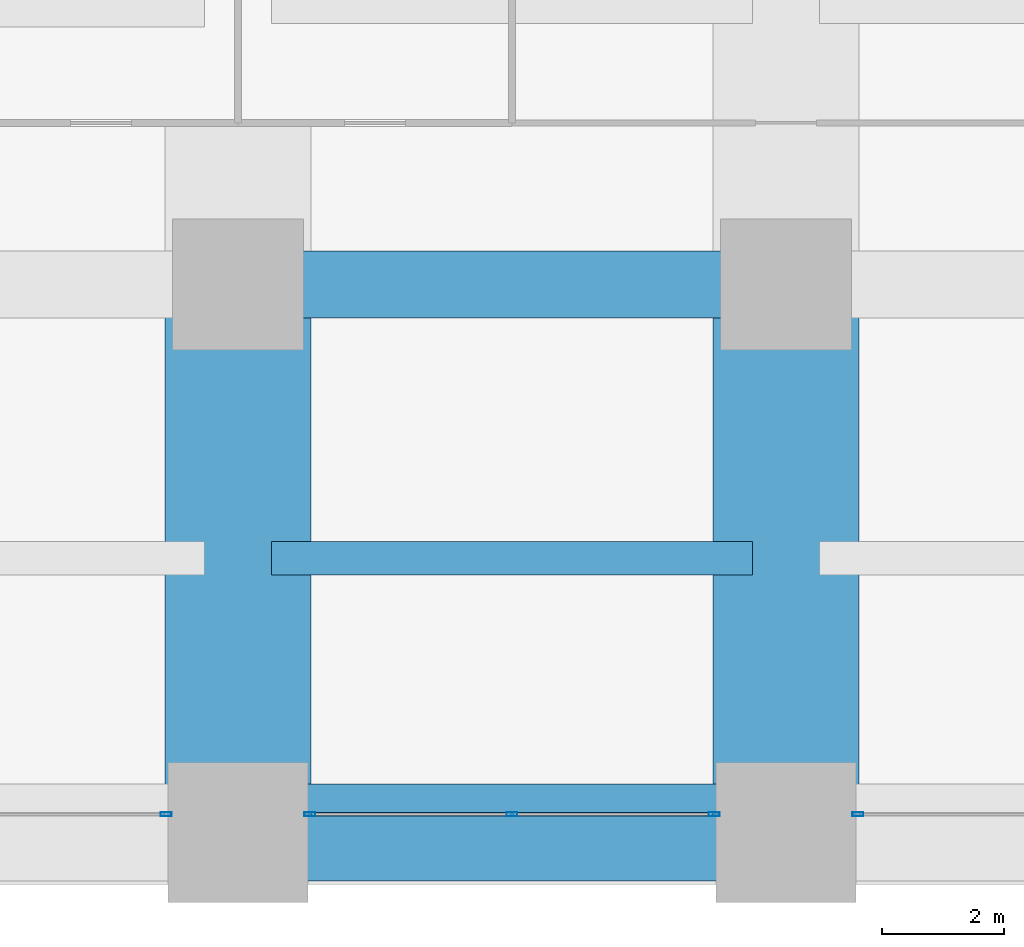
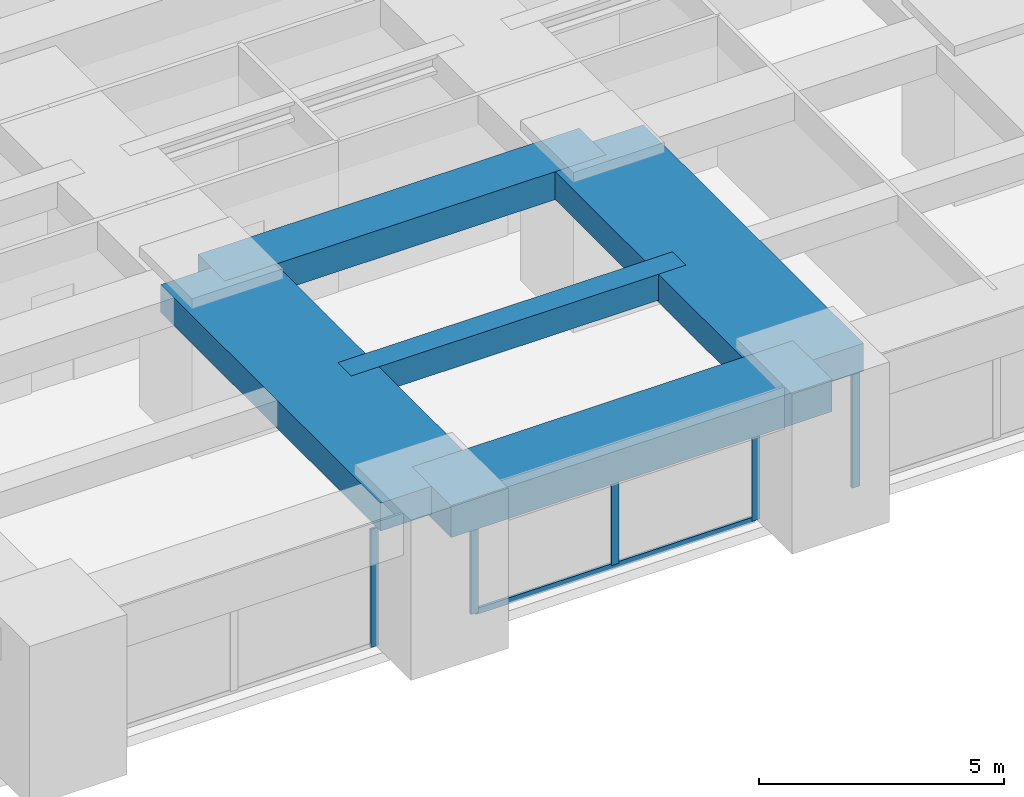
# One storey, part 6 of 44: 6 members, 5 beams, 3 elements without a shape of their own.
"""IFC4 building model written with IfcOpenShell, lengths in metres."""

from ifc_helpers import new_model, si_unit, direction, frame, origin, origin_2d, place, context, subcontext, project, spatial, rectangle, hollow_rectangle, extrude, material, material_profile, profile_set, type_object, element, aggregate, save


model = new_model("IFC4")

# Units and contexts
model_context = context("Model", 3, precision=1e-05, world=origin(), true_north=direction((0.0, 1.0)))
body_context = subcontext(model_context, "Body", "Model", "MODEL_VIEW")
ifc_project = project(units=[si_unit("LENGTHUNIT", "METRE"), si_unit("AREAUNIT", "SQUARE_METRE"), si_unit("VOLUMEUNIT", "CUBIC_METRE"), si_unit("PLANEANGLEUNIT", "RADIAN"), si_unit("MASSUNIT", "GRAM", prefix="KILO")], contexts=[model_context])

# Site, building, storey
site_placement = place(None, origin())
site = spatial("IfcSite", under=ifc_project, at=site_placement, CompositionType="ELEMENT")
building_placement = place(site_placement, origin())
building = spatial("IfcBuilding", under=site, at=building_placement, Name="Zorevar Civic Tower", CompositionType="ELEMENT")
storey_placement = place(building_placement, frame((0.0, 0.0, 63.800048828125)))
storey = spatial("IfcBuildingStorey", under=building, at=storey_placement, Name="L15", CompositionType="ELEMENT", Elevation=63.800048828125)

# Beams
ifc_material_1 = material(Name="Concrete C50/60", Category="concrete")
ifc_material_profile_1 = material_profile(ifc_material_1, rectangle(XDim=1.10009765625, YDim=0.699951171875, at=origin_2d()), Name="RC 1100x700")
ifc_profile_set_1 = profile_set([ifc_material_profile_1], Name="Concrete C50/60")
beam_type_1 = type_object("IfcBeamType", Name="Beam RC 1100x700", PredefinedType="BEAM", material=ifc_profile_set_1)
beam_1_placement = place(storey_placement, frame((18.0, 9.0, 3.39990234375), z_axis=(1.0, 0.0, 0.0), x_axis=(0.0, 1.0, 0.0)))
element("IfcBeam", 1, at=beam_1_placement, inside=storey, type_object=beam_type_1, Name="Girder L16", PredefinedType="BEAM", context=body_context, shape_type="SweptSolid", body=[
    extrude(rectangle(XDim=1.10009765625, YDim=0.699951171875, at=origin_2d()), origin(), (0.0, 0.0, 1.0), 9.0),
])
ifc_material_2 = material(Name="Concrete C50/60", Category="concrete")
ifc_material_profile_2 = material_profile(ifc_material_2, rectangle(XDim=2.39990234375, YDim=0.699951171875, at=origin_2d()), Name="RC 2400x700")
ifc_profile_set_2 = profile_set([ifc_material_profile_2], Name="Concrete C50/60")
beam_type_2 = type_object("IfcBeamType", Name="Beam RC 2400x700", PredefinedType="BEAM", material=ifc_profile_set_2)
for number, where, z_axis, x_axis, name in (
    (2, (18.0, 0.0, 3.39990234375), (0.0, 1.0, 0.0), (-1.0, 0.0, 0.0), "Girder L16"),
    (3, (27.0, 0.0, 3.39990234375), (0.0, 1.0, 0.0), (-1.0, 0.0, 0.0), "Girder L16"),
):
    element("IfcBeam", number, at=place(storey_placement, frame(where, z_axis=z_axis, x_axis=x_axis)), inside=storey, type_object=beam_type_2, Name=name, PredefinedType="BEAM", context=body_context, shape_type="SweptSolid", body=[
        extrude(rectangle(XDim=2.39990234375, YDim=0.699951171875, at=origin_2d()), origin(), (0.0, 0.0, 1.0), 9.0),
    ])
ifc_material_3 = material(Name="Concrete C50/60", Category="concrete")
ifc_material_profile_3 = material_profile(ifc_material_3, rectangle(XDim=0.550048828125, YDim=0.64990234375, at=origin_2d()), Name="RC 550x650")
ifc_profile_set_3 = profile_set([ifc_material_profile_3], Name="Concrete C50/60")
beam_type_3 = type_object("IfcBeamType", Name="Beam RC 550x650", PredefinedType="BEAM", material=ifc_profile_set_3)
beam_2_placement = place(storey_placement, frame((18.550048828125, 4.5, 3.425048828125), z_axis=(1.0, 0.0, 0.0), x_axis=(0.0, 1.0, 0.0)))
element("IfcBeam", 4, at=beam_2_placement, inside=storey, type_object=beam_type_3, Name="Secondary beam L16", PredefinedType="BEAM", context=body_context, shape_type="SweptSolid", body=[
    extrude(rectangle(XDim=0.550048828125, YDim=0.64990234375, at=origin_2d()), origin(), (0.0, 0.0, 1.0), 7.89990234375),
])

# Curtain wall, member
ifc_material_4 = material(Name="Dark grey solar-control glass in black aluminium frame", Category="aluminium")
curtain_wall_type = type_object("IfcCurtainWallType", Name="Curtain wall CW2 low zone", PredefinedType="NOTDEFINED", material=ifc_material_4)
curtain_wall_1_placement = place(storey_placement, origin())
curtain_wall_1 = element("IfcCurtainWall", 5, at=curtain_wall_1_placement, inside=storey, type_object=curtain_wall_type, Name="CW2 L15", PredefinedType="NOTDEFINED")
ifc_material_5 = material(Name="Aluminium, black anodised", Category="aluminium")
ifc_material_profile_4 = material_profile(ifc_material_5, hollow_rectangle(XDim=0.06005859375, YDim=0.179931640625, WallThickness=0.00390625, at=origin_2d()), Name="AL 180x60x4")
ifc_profile_set_4 = profile_set([ifc_material_profile_4], Name="Aluminium, black anodised")
member_type_1 = type_object("IfcMemberType", Name="CW2 mullion AL 180x60x4", PredefinedType="MULLION", material=ifc_profile_set_4)
member_1_placement = place(storey_placement, frame((16.820068359375, 0.300048828125, 0.0), z_axis=(0.0, 0.0, 1.0), x_axis=(0.0, 1.0, 0.0)))
member_1 = element("IfcMember", 6, at=member_1_placement, type_object=member_type_1, Name="CW2 mullion 3", PredefinedType="MULLION", context=body_context, shape_type="SweptSolid", body=[
    extrude(hollow_rectangle(XDim=0.06005859375, YDim=0.179931640625, WallThickness=0.00390625, at=origin_2d()), origin(), (0.0, 0.0, 1.0), 2.949951171875),
])
aggregate(curtain_wall_1, [member_1])

# Curtain wall, members
curtain_wall_2_placement = place(storey_placement, origin())
curtain_wall_2 = element("IfcCurtainWall", 7, at=curtain_wall_2_placement, inside=storey, type_object=curtain_wall_type, Name="CW2 L15", PredefinedType="NOTDEFINED")
member_2_placement = place(storey_placement, frame((19.179931640625, 0.300048828125, 0.0), z_axis=(0.0, 0.0, 1.0), x_axis=(0.0, 1.0, 0.0)))
member_2 = element("IfcMember", 8, at=member_2_placement, type_object=member_type_1, Name="CW2 mullion 1", PredefinedType="MULLION", context=body_context, shape_type="SweptSolid", body=[
    extrude(hollow_rectangle(XDim=0.06005859375, YDim=0.179931640625, WallThickness=0.00390625, at=origin_2d()), origin(), (0.0, 0.0, 1.0), 2.949951171875),
])
member_3_placement = place(storey_placement, frame((22.5, 0.300048828125, 0.06005859375), z_axis=(0.0, 0.0, 1.0), x_axis=(0.0, 1.0, 0.0)))
member_3 = element("IfcMember", 9, at=member_3_placement, type_object=member_type_1, Name="CW2 mullion 2", PredefinedType="MULLION", context=body_context, shape_type="SweptSolid", body=[
    extrude(hollow_rectangle(XDim=0.06005859375, YDim=0.179931640625, WallThickness=0.00390625, at=origin_2d()), origin(), (0.0, 0.0, 1.0), 2.889892578125),
])
member_4_placement = place(storey_placement, frame((25.820068359375, 0.300048828125, 0.0), z_axis=(0.0, 0.0, 1.0), x_axis=(0.0, 1.0, 0.0)))
member_4 = element("IfcMember", 10, at=member_4_placement, type_object=member_type_1, Name="CW2 mullion 3", PredefinedType="MULLION", context=body_context, shape_type="SweptSolid", body=[
    extrude(hollow_rectangle(XDim=0.06005859375, YDim=0.179931640625, WallThickness=0.00390625, at=origin_2d()), origin(), (0.0, 0.0, 1.0), 2.949951171875),
])

# Curtain wall, member
curtain_wall_3_placement = place(storey_placement, origin())
curtain_wall_3 = element("IfcCurtainWall", 11, at=curtain_wall_3_placement, inside=storey, type_object=curtain_wall_type, Name="CW2 L15", PredefinedType="NOTDEFINED")
member_5_placement = place(storey_placement, frame((28.179931640625, 0.300048828125, 0.0), z_axis=(0.0, 0.0, 1.0), x_axis=(0.0, 1.0, 0.0)))
member_5 = element("IfcMember", 12, at=member_5_placement, type_object=member_type_1, Name="CW2 mullion 1", PredefinedType="MULLION", context=body_context, shape_type="SweptSolid", body=[
    extrude(hollow_rectangle(XDim=0.06005859375, YDim=0.179931640625, WallThickness=0.00390625, at=origin_2d()), origin(), (0.0, 0.0, 1.0), 2.949951171875),
])
aggregate(curtain_wall_3, [member_5])

# Member
ifc_material_6 = material(Name="Aluminium, black anodised", Category="aluminium")
ifc_material_profile_5 = material_profile(ifc_material_6, hollow_rectangle(XDim=0.06005859375, YDim=0.14990234375, WallThickness=0.00390625, at=origin_2d()), Name="AL 150x60x4")
ifc_profile_set_5 = profile_set([ifc_material_profile_5], Name="Aluminium, black anodised")
member_type_2 = type_object("IfcMemberType", Name="CW2 transom AL 150x60x4", PredefinedType="USERDEFINED", material=ifc_profile_set_5)
member_6_placement = place(storey_placement, frame((19.2099609375, 0.300048828125, 0.030029296875), z_axis=(1.0, 0.0, 0.0), x_axis=(0.0, 1.0, 0.0)))
member_6 = element("IfcMember", 13, at=member_6_placement, type_object=member_type_2, Name="CW2 sill transom", ObjectType="TRANSOM", PredefinedType="USERDEFINED", context=body_context, shape_type="SweptSolid", body=[
    extrude(hollow_rectangle(XDim=0.06005859375, YDim=0.14990234375, WallThickness=0.00390625, at=origin_2d()), origin(), (0.0, 0.0, 1.0), 6.580078125),
])

aggregate(curtain_wall_2, [member_2, member_3, member_4, member_6])

# Beam
ifc_material_7 = material(Name="Concrete C50/60", Category="concrete")
ifc_material_profile_6 = material_profile(ifc_material_7, rectangle(XDim=1.60009765625, YDim=0.800048828125, at=origin_2d()), Name="RC 1600x800")
ifc_profile_set_6 = profile_set([ifc_material_profile_6], Name="Concrete C50/60")
beam_type_4 = type_object("IfcBeamType", Name="Edge beam RC 1600x800", PredefinedType="SPANDREL", material=ifc_profile_set_6)
beam_3_placement = place(storey_placement, frame((18.0, 0.0, 3.349853515625), z_axis=(1.0, 0.0, 0.0), x_axis=(0.0, 1.0, 0.0)))
element("IfcBeam", 14, at=beam_3_placement, inside=storey, type_object=beam_type_4, Name="Edge beam L16", PredefinedType="SPANDREL", context=body_context, shape_type="SweptSolid", body=[
    extrude(rectangle(XDim=1.60009765625, YDim=0.800048828125, at=origin_2d()), origin(), (0.0, 0.0, 1.0), 9.0),
])

save(model, "model.ifc")
